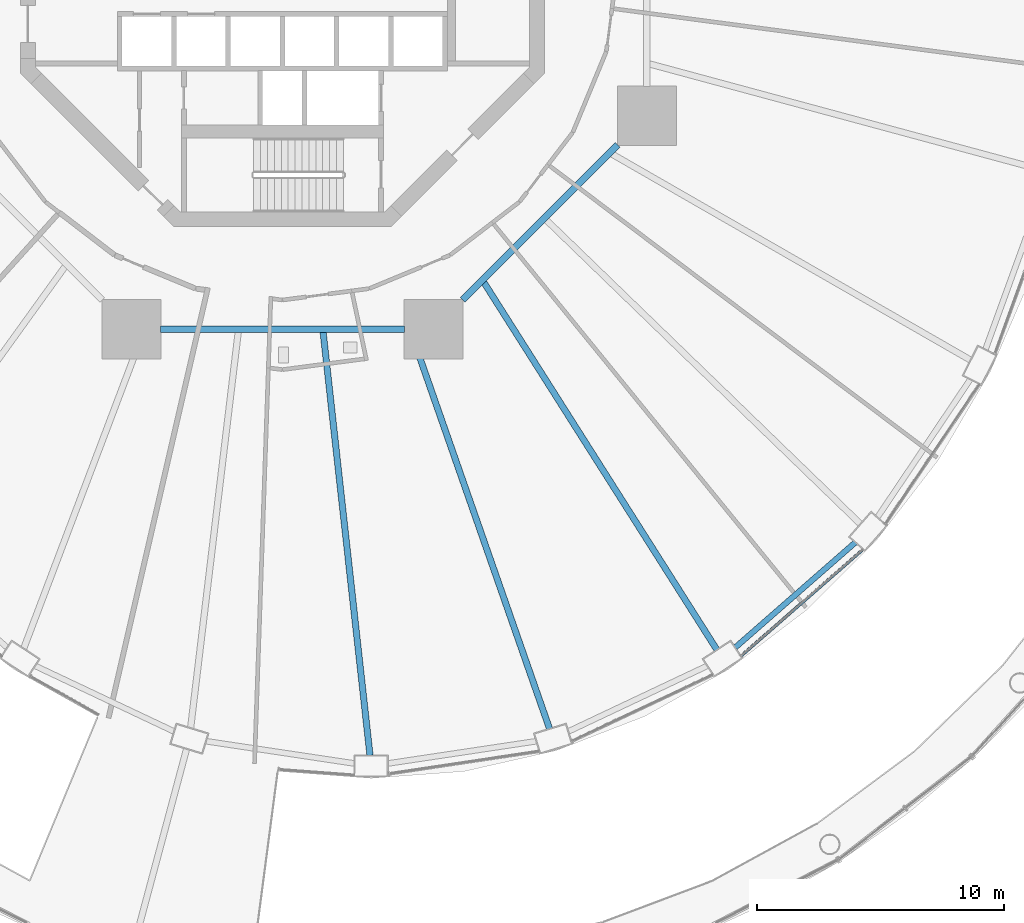
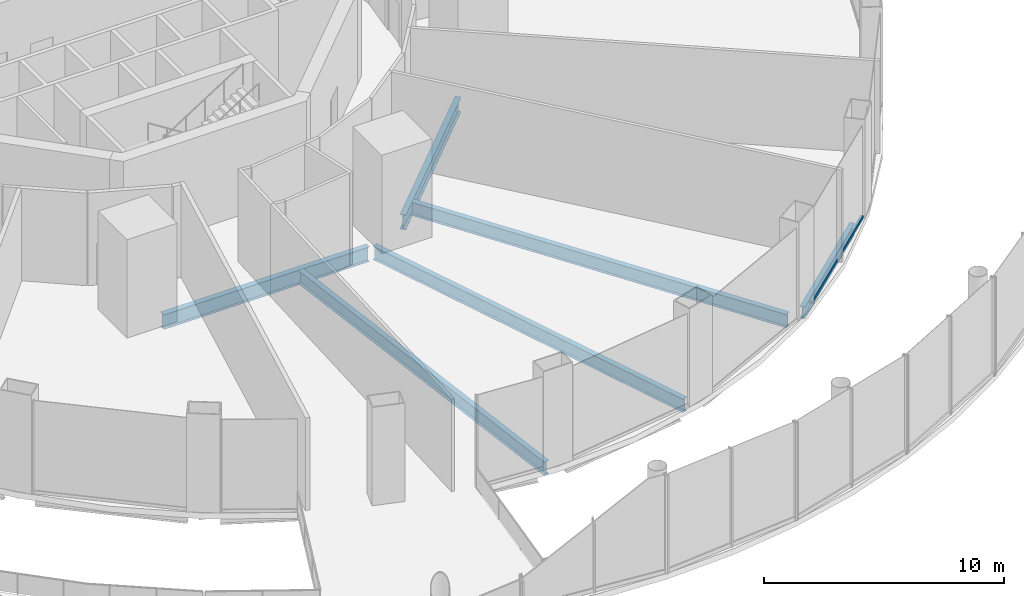
# One storey, part 12 of 47: 6 beams, 1 member, 1 element without a shape of its own.
"""IFC4 building model written with IfcOpenShell, lengths in metres."""

from ifc_helpers import new_model, si_unit, direction, frame, origin, origin_2d, place, context, subcontext, project, spatial, hollow_rectangle, i_section, extrude, material, layer, layer_set, material_profile, profile_set, type_object, element, aggregate, save


model = new_model("IFC4")

# Units and contexts
model_context = context("Model", 3, precision=1e-05, world=origin(), true_north=direction((0.0, 1.0)))
body_context = subcontext(model_context, "Body", "Model", "MODEL_VIEW")
ifc_project = project(units=[si_unit("LENGTHUNIT", "METRE"), si_unit("AREAUNIT", "SQUARE_METRE"), si_unit("VOLUMEUNIT", "CUBIC_METRE"), si_unit("PLANEANGLEUNIT", "RADIAN"), si_unit("MASSUNIT", "GRAM", prefix="KILO")], contexts=[model_context])

# Site, building, storey
site_placement = place(None, origin())
site = spatial("IfcSite", under=ifc_project, at=site_placement, CompositionType="ELEMENT")
building_placement = place(site_placement, origin())
building = spatial("IfcBuilding", under=site, at=building_placement, Name="Nagisa Residences", CompositionType="ELEMENT")
storey_placement = place(building_placement, frame((0.0, 0.0, 17.0)))
storey = spatial("IfcBuildingStorey", under=building, at=storey_placement, Name="L03", CompositionType="ELEMENT", Elevation=17.0)

# Curtain wall, member
ifc_material_1 = material(Name="Stainless steel curtain wall system", Category="steel")
ifc_layer = layer(ifc_material_1, 0.159912109375)
ifc_layer_set = layer_set([ifc_layer], Name="CW6 CURTAIN WALL")
curtain_wall_type = type_object("IfcCurtainWallType", Name="CW6 CURTAIN WALL", PredefinedType="NOTDEFINED", material=ifc_layer_set)
curtain_wall_placement = place(storey_placement, origin())
curtain_wall = element("IfcCurtainWall", 1, at=curtain_wall_placement, inside=storey, type_object=curtain_wall_type, Name="cw:CW6:L03:40", PredefinedType="NOTDEFINED")
ifc_material_2 = material(Name="Stainless steel", Category="steel")
ifc_material_profile_1 = material_profile(ifc_material_2, hollow_rectangle(XDim=0.1201171875, YDim=0.14990234375, WallThickness=0.008056640625, at=origin_2d()), Name="CW6 TRANSOM 120x150")
ifc_profile_set_1 = profile_set([ifc_material_profile_1], Name="Stainless steel")
member_type = type_object("IfcMemberType", Name="CW6 TRANSOM 120x150", PredefinedType="USERDEFINED", material=ifc_profile_set_1)
member_placement = place(storey_placement, frame((18.57470703125, -28.05810546875, 0.074951171875), z_axis=(0.753255020636, 0.657728571591, 0.0), x_axis=(-0.657728571591, 0.753255020636, 0.0)))
member = element("IfcMember", 2, at=member_placement, type_object=member_type, Name="CW6 transom", ObjectType="TRANSOM", PredefinedType="USERDEFINED", context=body_context, shape_type="SweptSolid", body=[
    extrude(hollow_rectangle(XDim=0.1201171875, YDim=0.14990234375, WallThickness=0.008056640625, at=origin_2d()), origin(), (0.0, 0.0, 1.0), 6.5732421875),
])
aggregate(curtain_wall, [member])

# Beams
ifc_material_3 = material(Name="Steel ASTM A572 Gr 50", Category="steel")
ifc_material_profile_2 = material_profile(ifc_material_3, i_section(OverallWidth=0.264892578125, OverallDepth=0.7529296875, WebThickness=0.01318359375, FlangeThickness=0.01708984375, at=origin_2d()), Name="W760x147")
ifc_profile_set_2 = profile_set([ifc_material_profile_2], Name="Steel ASTM A572 Gr 50")
beam_type_1 = type_object("IfcBeamType", Name="Inner ring beam W760x147", PredefinedType="BEAM", material=ifc_profile_set_2)
beam_1_placement = place(storey_placement, frame((-4.94287109375, -14.781982421875, -0.676513671875), z_axis=(1.0, 0.0, 0.0), x_axis=(0.0, 1.0, 0.0)))
element("IfcBeam", 3, at=beam_1_placement, inside=storey, type_object=beam_type_1, Name="beam:L03:ib6", PredefinedType="BEAM", context=body_context, shape_type="SweptSolid", body=[
    extrude(i_section(OverallWidth=0.264892578125, OverallDepth=0.7529296875, WebThickness=0.01318359375, FlangeThickness=0.01708984375, at=origin_2d()), origin(), (0.0, 0.0, 1.0), 9.8857421875),
])
beam_2_placement = place(storey_placement, frame((7.308837890625, -13.59619140625, -0.676513671875), z_axis=(0.707106781187, 0.707106781187, 0.0), x_axis=(-0.707106781187, 0.707106781187, 0.0)))
element("IfcBeam", 4, at=beam_2_placement, inside=storey, type_object=beam_type_1, Name="beam:L03:ib7", PredefinedType="BEAM", context=body_context, shape_type="SweptSolid", body=[
    extrude(i_section(OverallWidth=0.264892578125, OverallDepth=0.7529296875, WebThickness=0.01318359375, FlangeThickness=0.01708984375, at=origin_2d()), origin(), (0.0, 0.0, 1.0), 8.8916015625),
])
ifc_material_4 = material(Name="Steel ASTM A572 Gr 50", Category="steel")
ifc_material_profile_3 = material_profile(ifc_material_4, i_section(OverallWidth=0.22802734375, OverallDepth=0.60302734375, WebThickness=0.010498046875, FlangeThickness=0.014892578125, at=origin_2d()), Name="W610x101")
ifc_profile_set_3 = profile_set([ifc_material_profile_3], Name="Steel ASTM A572 Gr 50")
beam_type_2 = type_object("IfcBeamType", Name="Perimeter ring beam W610x101", PredefinedType="BEAM", material=ifc_profile_set_3)
beam_3_placement = place(storey_placement, frame((18.36669921875, -27.693603515625, -0.6015625), z_axis=(0.7525907186, 0.658488580217, 0.0), x_axis=(-0.658488580217, 0.7525907186, 0.0)))
element("IfcBeam", 5, at=beam_3_placement, inside=storey, type_object=beam_type_2, Name="beam:L03:pb21", PredefinedType="BEAM", context=body_context, shape_type="SweptSolid", body=[
    extrude(i_section(OverallWidth=0.22802734375, OverallDepth=0.60302734375, WebThickness=0.010498046875, FlangeThickness=0.014892578125, at=origin_2d()), origin(), (0.0, 0.0, 1.0), 6.470458984375),
])
ifc_material_5 = material(Name="Steel ASTM A572 Gr 50", Category="steel")
ifc_material_profile_4 = material_profile(ifc_material_5, i_section(OverallWidth=0.25390625, OverallDepth=0.68408203125, WebThickness=0.012451171875, FlangeThickness=0.018798828125, at=origin_2d()), Name="W690x140")
ifc_profile_set_4 = profile_set([ifc_material_profile_4], Name="Steel ASTM A572 Gr 50")
beam_type_3 = type_object("IfcBeamType", Name="Radial beam W690x140", PredefinedType="BEAM", material=ifc_profile_set_4)
beam_4_placement = place(storey_placement, frame((3.55224609375, -32.06982421875, -0.64208984375), z_axis=(-0.110088818647, 0.993921753464, 0.0), x_axis=(-0.993921753464, -0.110088818647, 0.0)))
element("IfcBeam", 6, at=beam_4_placement, inside=storey, type_object=beam_type_3, Name="beam:L03:rb19", PredefinedType="BEAM", context=body_context, shape_type="SweptSolid", body=[
    extrude(i_section(OverallWidth=0.25390625, OverallDepth=0.68408203125, WebThickness=0.012451171875, FlangeThickness=0.018798828125, at=origin_2d()), origin(), (0.0, 0.0, 1.0), 17.280029296875),
])
beam_5_placement = place(storey_placement, frame((10.834228515625, -30.986328125, -0.64208984375), z_axis=(-0.330051195485, 0.943963033364, 0.0), x_axis=(-0.943963033364, -0.330051195485, 0.0)))
element("IfcBeam", 7, at=beam_5_placement, inside=storey, type_object=beam_type_3, Name="beam:L03:rb20", PredefinedType="BEAM", context=body_context, shape_type="SweptSolid", body=[
    extrude(i_section(OverallWidth=0.25390625, OverallDepth=0.68408203125, WebThickness=0.012451171875, FlangeThickness=0.018798828125, at=origin_2d()), origin(), (0.0, 0.0, 1.0), 17.045654296875),
])
beam_6_placement = place(storey_placement, frame((17.61962890625, -27.78271484375, -0.64208984375), z_axis=(-0.53556610664, 0.844493306911, 0.0), x_axis=(-0.844493306911, -0.53556610664, 0.0)))
element("IfcBeam", 8, at=beam_6_placement, inside=storey, type_object=beam_type_3, Name="beam:L03:rb21", PredefinedType="BEAM", context=body_context, shape_type="SweptSolid", body=[
    extrude(i_section(OverallWidth=0.25390625, OverallDepth=0.68408203125, WebThickness=0.012451171875, FlangeThickness=0.018798828125, at=origin_2d()), origin(), (0.0, 0.0, 1.0), 17.63525390625),
])

save(model, "model.ifc")
